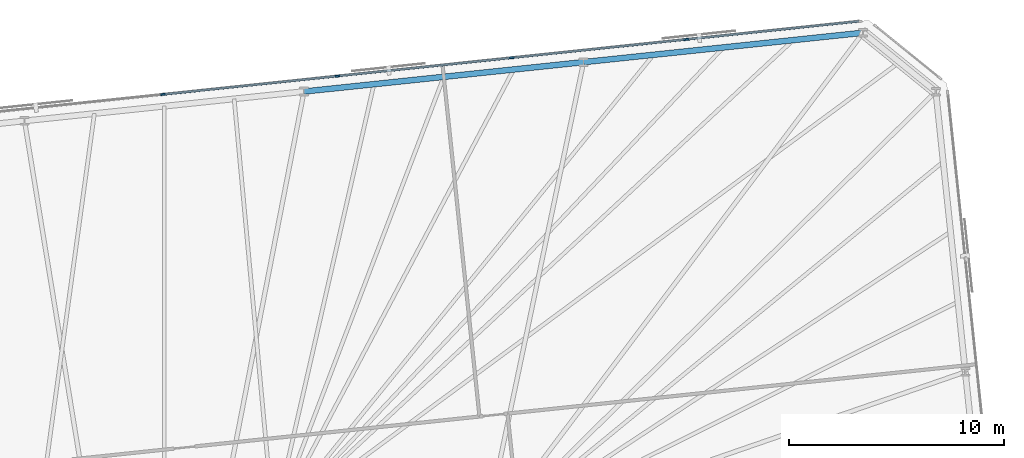
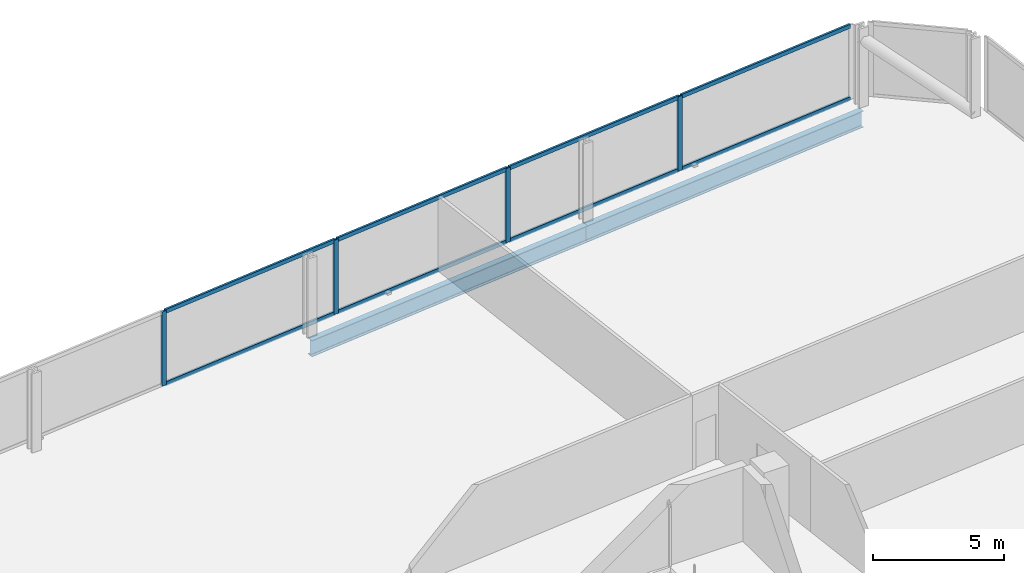
# One storey, part 11 of 18: 12 members, 2 beams, 1 element without a shape of its own.
"""IFC4 building model written with IfcOpenShell, lengths in metres."""

import ifcopenshell
import ifcopenshell.guid

model = None  # the IFC model being written
_history = None  # IfcOwnerHistory: only IFC2X3 demands one
_inside = {}  # id of a spatial element -> (the spatial element, [elements in it])
_under = {}  # id of a project, library or spatial element -> (it, [spatial elements below it])
_declared = {}  # id of a project -> (the project, [libraries it declares])
_typed = {}  # id of a type object -> (the type object, [elements of that type])
_made_of = {}  # id of a material, layer set ... -> (it, [elements and type objects made of it])


def new_model(schema):
    """Start an empty IFC model of exactly this schema.

    Asked for "IFC4X3", IfcOpenShell would pick the latest addendum, in which some entities
    have other attributes; the version numbers below select the first issue.
    IFC2X3 requires an IfcOwnerHistory on every rooted entity: one is made here for all.
    """
    global model, _history
    if schema == "IFC4X3":
        model = ifcopenshell.file(schema_version=(4, 3, 0, 0))
    else:
        model = ifcopenshell.file(schema=schema)
    _inside.clear()
    _under.clear()
    _declared.clear()
    _typed.clear()
    _made_of.clear()
    _history = None
    if model.schema == "IFC2X3":
        org = make("IfcOrganization", Name="unknown")
        user = make(
            "IfcPersonAndOrganization",
            ThePerson=make("IfcPerson", FamilyName="unknown"),
            TheOrganization=org,
        )
        app = make(
            "IfcApplication",
            ApplicationDeveloper=org,
            Version="unknown",
            ApplicationFullName="unknown",
            ApplicationIdentifier="unknown",
        )
        _history = make(
            "IfcOwnerHistory",
            OwningUser=user,
            OwningApplication=app,
            ChangeAction="ADDED",
            CreationDate=0,
        )
    return model


def make(cls, **values):
    """One entity of the class cls with the attributes given. An attribute that is None is left unset."""
    return model.create_entity(
        cls, **{name: value for name, value in values.items() if value is not None}
    )


def rooted(cls, **values):
    """An entity with a GlobalId (a new one), such as an element, a storey or a relation."""
    return make(cls, GlobalId=ifcopenshell.guid.new(), OwnerHistory=_history, **values)


def si_unit(unit_type, name, prefix=None):
    """IfcSIUnit, for example si_unit("LENGTHUNIT", "METRE", prefix="MILLI")."""
    return make("IfcSIUnit", UnitType=unit_type, Prefix=prefix, Name=name)


def assignment(units):
    """IfcUnitAssignment: the units of a project."""
    return None if units is None else make("IfcUnitAssignment", Units=units)


def point(xyz):
    """IfcCartesianPoint."""
    return None if xyz is None else make("IfcCartesianPoint", Coordinates=xyz)


def direction(xyz):
    """IfcDirection."""
    return None if xyz is None else make("IfcDirection", DirectionRatios=xyz)


def frame(location, z_axis=None, x_axis=None):
    """IfcAxis2Placement3D, a coordinate frame: its origin and axes. An axis left out is left unset."""
    return make(
        "IfcAxis2Placement3D",
        Location=point(location),
        Axis=direction(z_axis),
        RefDirection=direction(x_axis),
    )


def frame_2d(location, x_axis=None):
    """IfcAxis2Placement2D, a coordinate frame in the plane: its origin and x axis."""
    return make(
        "IfcAxis2Placement2D", Location=point(location), RefDirection=direction(x_axis)
    )


def origin():
    """The frame at (0, 0, 0) with its axes left unset."""
    return frame((0.0, 0.0, 0.0))


def origin_2d():
    """The frame at (0, 0) in the plane with its x axis left unset."""
    return frame_2d((0.0, 0.0))


def place(relative_to, where):
    """IfcLocalPlacement: puts the frame where relative to a parent placement (None: the world)."""
    return make(
        "IfcLocalPlacement", PlacementRelTo=relative_to, RelativePlacement=where
    )


def context(
    kind, dimensions, precision=None, world=None, true_north=None, identifier=None
):
    """IfcGeometricRepresentationContext, for example the 3D "Model" context."""
    return make(
        "IfcGeometricRepresentationContext",
        ContextIdentifier=identifier,
        ContextType=kind,
        CoordinateSpaceDimension=dimensions,
        Precision=precision,
        WorldCoordinateSystem=world,
        TrueNorth=true_north,
    )


def subcontext(parent, identifier, kind, view, scale=None):
    """IfcGeometricRepresentationSubContext, for example "Body" below "Model"."""
    return make(
        "IfcGeometricRepresentationSubContext",
        ContextIdentifier=identifier,
        ContextType=kind,
        ParentContext=parent,
        TargetScale=scale,
        TargetView=view,
    )


def project(units=None, contexts=None):
    """IfcProject with its units and contexts."""
    return rooted(
        "IfcProject",
        Name="project",
        RepresentationContexts=contexts,
        UnitsInContext=assignment(units),
    )


def spatial(cls, under=None, at=None, **own):
    """A site, building, storey or space (cls), placed at a placement, below another one or the project."""
    s = rooted(cls, ObjectPlacement=at, **own)
    if under is not None:
        _under.setdefault(under.id(), (under, []))[1].append(s)
    return s


def profile(cls, at=None, kind="AREA", **sizes):
    """A parametric profile (cls). Its sizes go by their IFC names, for example OverallWidth=200.0."""
    return make(cls, ProfileType=kind, Position=at, **sizes)


def rectangle(**sizes):
    """IfcRectangleProfileDef."""
    return profile("IfcRectangleProfileDef", **sizes)


def i_section(**sizes):
    """IfcIShapeProfileDef."""
    return profile("IfcIShapeProfileDef", **sizes)


def extrude(swept, where, along, depth):
    """IfcExtrudedAreaSolid: the profile swept, set in the frame where, extruded along a direction by depth."""
    return make(
        "IfcExtrudedAreaSolid",
        SweptArea=swept,
        Position=where,
        ExtrudedDirection=direction(along),
        Depth=depth,
    )


def shape(context_of_items, identifier, shape_type, items):
    """IfcShapeRepresentation: the items that make up one representation, for example the "Body"."""
    return make(
        "IfcShapeRepresentation",
        ContextOfItems=context_of_items,
        RepresentationIdentifier=identifier,
        RepresentationType=shape_type,
        Items=items,
    )


def material(Name=None, Category=None):
    """IfcMaterial."""
    return make("IfcMaterial", Name=Name, Category=Category)


def material_profile(
    of_material, cross_section, Name=None, Category=None, Priority=None
):
    """IfcMaterialProfile: a cross section and its material."""
    return make(
        "IfcMaterialProfile",
        Name=Name,
        Material=of_material,
        Profile=cross_section,
        Priority=Priority,
        Category=Category,
    )


def profile_set(profiles, Name=None, composite=None):
    """IfcMaterialProfileSet."""
    return make(
        "IfcMaterialProfileSet",
        Name=Name,
        MaterialProfiles=profiles,
        CompositeProfile=composite,
    )


def made_of(thing, what):
    """Note that an element or type object is made of a material, layer set ...; save() writes the relation."""
    if what is not None:
        _made_of.setdefault(what.id(), (what, []))[1].append(thing)
    return thing


def type_object(cls, material=None, **own):
    """A type object (cls), such as IfcWallType, which elements share."""
    return made_of(rooted(cls, **own), material)


def element(
    cls,
    number,
    at=None,
    inside=None,
    cuts=None,
    type_object=None,
    material=None,
    context=None,
    identifier="Body",
    shape_type=None,
    held_by="IfcProductDefinitionShape",
    body=None,
    shapes=None,
    **own,
):
    """One element of the class cls, such as IfcWall. Its Tag is "e" and its number.

    at: its placement. inside: the storey or other place that contains it. cuts: it is an
    opening in that element (IfcRelVoidsElement). A single representation is given by context,
    identifier, shape_type and body (its items); several are given by shapes. held_by: the class
    of the entity that holds the representations. save() writes the other relations.
    """
    e = rooted(cls, Tag="e%d" % number, ObjectPlacement=at, **own)
    if body is not None:
        shapes = [shape(context, identifier, shape_type, body)]
    if shapes is not None:
        e.Representation = make(held_by, Representations=shapes)
    if inside is not None:
        _inside.setdefault(inside.id(), (inside, []))[1].append(e)
    if cuts is not None:
        rooted(
            "IfcRelVoidsElement", RelatingBuildingElement=cuts, RelatedOpeningElement=e
        )
    if type_object is not None:
        _typed.setdefault(type_object.id(), (type_object, []))[1].append(e)
    return made_of(e, material)


def aggregate(whole, parts):
    """IfcRelAggregates: a whole, such as a stair, and the parts it consists of."""
    return rooted("IfcRelAggregates", RelatingObject=whole, RelatedObjects=parts)


def save(model, path):
    """Write the relations noted so far, then the file.

    IfcRelAggregates (storeys below a building ...), IfcRelContainedInSpatialStructure (elements
    in a storey), IfcRelDefinesByType, IfcRelAssociatesMaterial and IfcRelDeclares: one each for
    every whole, place, type object, material and project.
    """
    for whole, parts in _under.values():
        aggregate(whole, parts)
    for where, things in _inside.values():
        rooted(
            "IfcRelContainedInSpatialStructure",
            RelatedElements=things,
            RelatingStructure=where,
        )
    for kind, things in _typed.values():
        rooted("IfcRelDefinesByType", RelatedObjects=things, RelatingType=kind)
    for what, things in _made_of.values():
        rooted("IfcRelAssociatesMaterial", RelatedObjects=things, RelatingMaterial=what)
    for by, libraries in _declared.values():
        rooted("IfcRelDeclares", RelatingContext=by, RelatedDefinitions=libraries)
    model.write(path)


model = new_model("IFC4")

# Units and contexts
model_context = context("Model", 3, precision=1e-05, world=origin(), true_north=direction((0.0, 1.0)))
body_context = subcontext(model_context, "Body", "Model", "MODEL_VIEW")
ifc_project = project(units=[si_unit("LENGTHUNIT", "METRE"), si_unit("AREAUNIT", "SQUARE_METRE"), si_unit("VOLUMEUNIT", "CUBIC_METRE"), si_unit("PLANEANGLEUNIT", "RADIAN"), si_unit("MASSUNIT", "GRAM", prefix="KILO")], contexts=[model_context])

# Site, building, storey
site_placement = place(None, origin())
site = spatial("IfcSite", under=ifc_project, at=site_placement, CompositionType="ELEMENT")
building_placement = place(site_placement, origin())
building = spatial("IfcBuilding", under=site, at=building_placement, Name="Menara Jurai Vektor", CompositionType="ELEMENT")
storey_placement = place(building_placement, frame((0.0, 0.0, 113.300048828125)))
storey = spatial("IfcBuildingStorey", under=building, at=storey_placement, Name="L28", CompositionType="ELEMENT", Elevation=113.300048828125)

# Curtain wall, members
ifc_material_1 = material(Name="Anodised Pale Aluminium & Low-E Double Glazing", Category="aluminium")
curtain_wall_type = type_object("IfcCurtainWallType", Name="CW-BLK2", PredefinedType="NOTDEFINED", material=ifc_material_1)
curtain_wall_placement = place(storey_placement, origin())
curtain_wall = element("IfcCurtainWall", 1, at=curtain_wall_placement, inside=storey, type_object=curtain_wall_type, Name="Unitised Curtain Wall L28 F07", PredefinedType="NOTDEFINED")
ifc_material_2 = material(Name="Anodised Pale Aluminium Mullion", Category="aluminium")
ifc_material_profile_1 = material_profile(ifc_material_2, rectangle(XDim=0.090087890625, YDim=0.219970703125, at=origin_2d()), Name="ALU MUL 90x220")
ifc_profile_set_1 = profile_set([ifc_material_profile_1], Name="Anodised Pale Aluminium Mullion")
member_type_1 = type_object("IfcMemberType", Name="CW-BLK2-MUL", PredefinedType="MULLION", material=ifc_profile_set_1)
member_1_placement = place(storey_placement, frame((24.663330078125, 28.075927734375, 0.0), z_axis=(0.0, 0.0, 1.0), x_axis=(0.104528634935, -0.994521877325, 0.0)))
member_1 = element("IfcMember", 2, at=member_1_placement, type_object=member_type_1, Name="CW-02 mullion 2", PredefinedType="MULLION", context=body_context, shape_type="SweptSolid", body=[
    extrude(rectangle(XDim=0.090087890625, YDim=0.219970703125, at=origin_2d()), origin(), (0.0, 0.0, 1.0), 3.474853515625),
])
member_2_placement = place(storey_placement, frame((16.5654296875, 27.224853515625, 0.0), z_axis=(0.0, 0.0, 1.0), x_axis=(0.104528634935, -0.994521877325, 0.0)))
member_2 = element("IfcMember", 3, at=member_2_placement, type_object=member_type_1, Name="CW-02 mullion 3", PredefinedType="MULLION", context=body_context, shape_type="SweptSolid", body=[
    extrude(rectangle(XDim=0.090087890625, YDim=0.219970703125, at=origin_2d()), origin(), (0.0, 0.0, 1.0), 3.474853515625),
])
member_3_placement = place(storey_placement, frame((8.467529296875, 26.373779296875, 0.0), z_axis=(0.0, 0.0, 1.0), x_axis=(0.104528634935, -0.994521877325, 0.0)))
member_3 = element("IfcMember", 4, at=member_3_placement, type_object=member_type_1, Name="CW-02 mullion 4", PredefinedType="MULLION", context=body_context, shape_type="SweptSolid", body=[
    extrude(rectangle(XDim=0.090087890625, YDim=0.219970703125, at=origin_2d()), origin(), (0.0, 0.0, 1.0), 3.474853515625),
])
member_4_placement = place(storey_placement, frame((0.36962890625, 25.522705078125, 0.0), z_axis=(0.0, 0.0, 1.0), x_axis=(0.104528634935, -0.994521877325, 0.0)))
member_4 = element("IfcMember", 5, at=member_4_placement, type_object=member_type_1, Name="CW-02 mullion 5", PredefinedType="MULLION", context=body_context, shape_type="SweptSolid", body=[
    extrude(rectangle(XDim=0.090087890625, YDim=0.219970703125, at=origin_2d()), origin(), (0.0, 0.0, 1.0), 3.474853515625),
])
ifc_material_3 = material(Name="Anodised Pale Aluminium Transom", Category="aluminium")
ifc_material_profile_2 = material_profile(ifc_material_3, rectangle(XDim=0.090087890625, YDim=0.18505859375, at=origin_2d()), Name="ALU TRN 90x185")
ifc_profile_set_2 = profile_set([ifc_material_profile_2], Name="Anodised Pale Aluminium Transom")
member_type_2 = type_object("IfcMemberType", Name="CW-BLK2-TRN", PredefinedType="USERDEFINED", material=ifc_profile_set_2)
member_5_placement = place(storey_placement, frame((32.671875, 28.917724609375, 0.044921875), z_axis=(-0.994519977808, -0.104546706027, 0.0), x_axis=(0.104546706027, -0.994519977808, 0.0)))
member_5 = element("IfcMember", 6, at=member_5_placement, type_object=member_type_2, Name="CW-02 transom 1.1", ObjectType="TRANSOM", PredefinedType="USERDEFINED", context=body_context, shape_type="SweptSolid", body=[
    extrude(rectangle(XDim=0.090087890625, YDim=0.18505859375, at=origin_2d()), origin(), (0.0, 0.0, 1.0), 8.007568359375),
])
member_6_placement = place(storey_placement, frame((32.671875, 28.917724609375, 3.429931640625), z_axis=(-0.994519977808, -0.104546706027, 0.0), x_axis=(0.104546706027, -0.994519977808, 0.0)))
member_6 = element("IfcMember", 7, at=member_6_placement, type_object=member_type_2, Name="CW-02 transom 1.2", ObjectType="TRANSOM", PredefinedType="USERDEFINED", context=body_context, shape_type="SweptSolid", body=[
    extrude(rectangle(XDim=0.090087890625, YDim=0.18505859375, at=origin_2d()), origin(), (0.0, 0.0, 1.0), 8.007568359375),
])
member_7_placement = place(storey_placement, frame((24.61865234375, 28.0712890625, 0.044921875), z_axis=(-0.994520726373, -0.10453958492, 0.0), x_axis=(0.10453958492, -0.994520726373, 0.0)))
member_7 = element("IfcMember", 8, at=member_7_placement, type_object=member_type_2, Name="CW-02 transom 2.1", ObjectType="TRANSOM", PredefinedType="USERDEFINED", context=body_context, shape_type="SweptSolid", body=[
    extrude(rectangle(XDim=0.090087890625, YDim=0.18505859375, at=origin_2d()), origin(), (0.0, 0.0, 1.0), 8.052490234375),
])
member_8_placement = place(storey_placement, frame((24.61865234375, 28.0712890625, 3.429931640625), z_axis=(-0.994520726373, -0.10453958492, 0.0), x_axis=(0.10453958492, -0.994520726373, 0.0)))
member_8 = element("IfcMember", 9, at=member_8_placement, type_object=member_type_2, Name="CW-02 transom 2.2", ObjectType="TRANSOM", PredefinedType="USERDEFINED", context=body_context, shape_type="SweptSolid", body=[
    extrude(rectangle(XDim=0.090087890625, YDim=0.18505859375, at=origin_2d()), origin(), (0.0, 0.0, 1.0), 8.052490234375),
])
member_9_placement = place(storey_placement, frame((16.520751953125, 27.22021484375, 0.044921875), z_axis=(-0.994520726373, -0.10453958492, 0.0), x_axis=(0.10453958492, -0.994520726373, 0.0)))
member_9 = element("IfcMember", 10, at=member_9_placement, type_object=member_type_2, Name="CW-02 transom 3.1", ObjectType="TRANSOM", PredefinedType="USERDEFINED", context=body_context, shape_type="SweptSolid", body=[
    extrude(rectangle(XDim=0.090087890625, YDim=0.18505859375, at=origin_2d()), origin(), (0.0, 0.0, 1.0), 8.052490234375),
])
member_10_placement = place(storey_placement, frame((16.520751953125, 27.22021484375, 3.429931640625), z_axis=(-0.994520726373, -0.10453958492, 0.0), x_axis=(0.10453958492, -0.994520726373, 0.0)))
member_10 = element("IfcMember", 11, at=member_10_placement, type_object=member_type_2, Name="CW-02 transom 3.2", ObjectType="TRANSOM", PredefinedType="USERDEFINED", context=body_context, shape_type="SweptSolid", body=[
    extrude(rectangle(XDim=0.090087890625, YDim=0.18505859375, at=origin_2d()), origin(), (0.0, 0.0, 1.0), 8.052490234375),
])
member_11_placement = place(storey_placement, frame((8.4228515625, 26.369140625, 0.044921875), z_axis=(-0.994520726373, -0.10453958492, 0.0), x_axis=(0.10453958492, -0.994520726373, 0.0)))
member_11 = element("IfcMember", 12, at=member_11_placement, type_object=member_type_2, Name="CW-02 transom 4.1", ObjectType="TRANSOM", PredefinedType="USERDEFINED", context=body_context, shape_type="SweptSolid", body=[
    extrude(rectangle(XDim=0.090087890625, YDim=0.18505859375, at=origin_2d()), origin(), (0.0, 0.0, 1.0), 8.052490234375),
])
member_12_placement = place(storey_placement, frame((8.4228515625, 26.369140625, 3.429931640625), z_axis=(-0.994520726373, -0.10453958492, 0.0), x_axis=(0.10453958492, -0.994520726373, 0.0)))
member_12 = element("IfcMember", 13, at=member_12_placement, type_object=member_type_2, Name="CW-02 transom 4.2", ObjectType="TRANSOM", PredefinedType="USERDEFINED", context=body_context, shape_type="SweptSolid", body=[
    extrude(rectangle(XDim=0.090087890625, YDim=0.18505859375, at=origin_2d()), origin(), (0.0, 0.0, 1.0), 8.052490234375),
])
aggregate(curtain_wall, [member_1, member_2, member_3, member_4, member_5, member_6, member_7, member_8, member_9, member_10, member_11, member_12])

# Beams
ifc_material_4 = material(Name="Steel S460", Category="steel")
ifc_material_profile_3 = material_profile(ifc_material_4, i_section(OverallWidth=0.26806640625, OverallDepth=0.77001953125, WebThickness=0.01611328125, FlangeThickness=0.02490234375, FilletRadius=0.01708984375, at=origin_2d()), Name="UKB 762x267x197")
ifc_profile_set_3 = profile_set([ifc_material_profile_3], Name="Steel S460")
beam_type = type_object("IfcBeamType", Name="STR-SP-762", PredefinedType="SPANDREL", material=ifc_profile_set_3)
beam_1_placement = place(storey_placement, frame((32.876220703125, 28.38623046875, -0.610107421875), z_axis=(-0.994521431679, -0.104532874882, 0.0), x_axis=(0.104532874882, -0.994521431679, 0.0)))
element("IfcBeam", 14, at=beam_1_placement, inside=storey, type_object=beam_type, Name="Exoskeleton Spandrel Beam L28-11", PredefinedType="SPANDREL", context=body_context, shape_type="SweptSolid", body=[
    extrude(i_section(OverallWidth=0.26806640625, OverallDepth=0.77001953125, WebThickness=0.01611328125, FlangeThickness=0.02490234375, FilletRadius=0.01708984375, at=origin_2d()), origin(), (0.0, 0.0, 1.0), 13.051025390625),
])
beam_2_placement = place(storey_placement, frame((19.896728515625, 27.02197265625, -0.610107421875), z_axis=(-0.994521636083, -0.104530930169, 0.0), x_axis=(0.104530930169, -0.994521636083, 0.0)))
element("IfcBeam", 15, at=beam_2_placement, inside=storey, type_object=beam_type, Name="Exoskeleton Spandrel Beam L28-12", PredefinedType="SPANDREL", context=body_context, shape_type="SweptSolid", body=[
    extrude(i_section(OverallWidth=0.26806640625, OverallDepth=0.77001953125, WebThickness=0.01611328125, FlangeThickness=0.02490234375, FilletRadius=0.01708984375, at=origin_2d()), origin(), (0.0, 0.0, 1.0), 13.05126953125),
])

save(model, "model.ifc")
